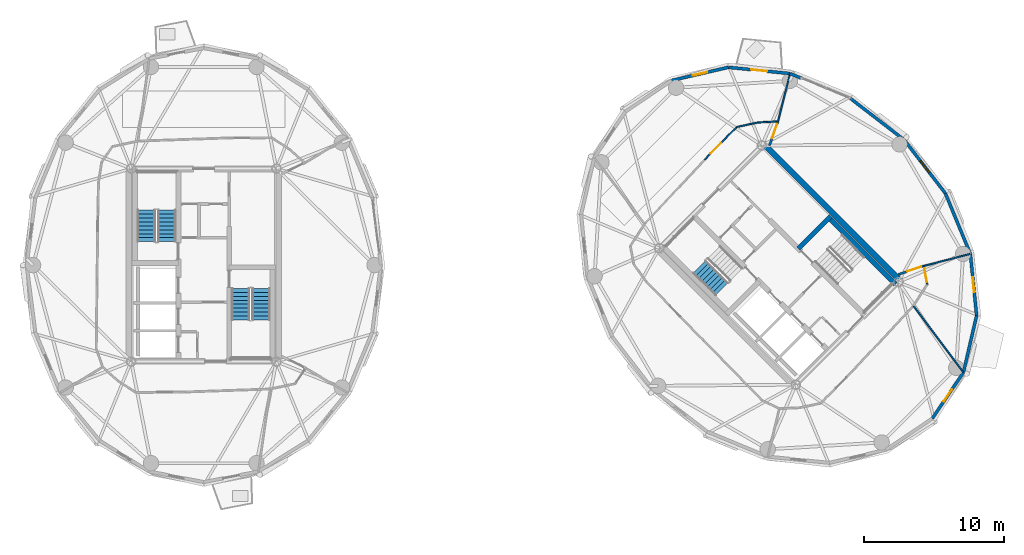
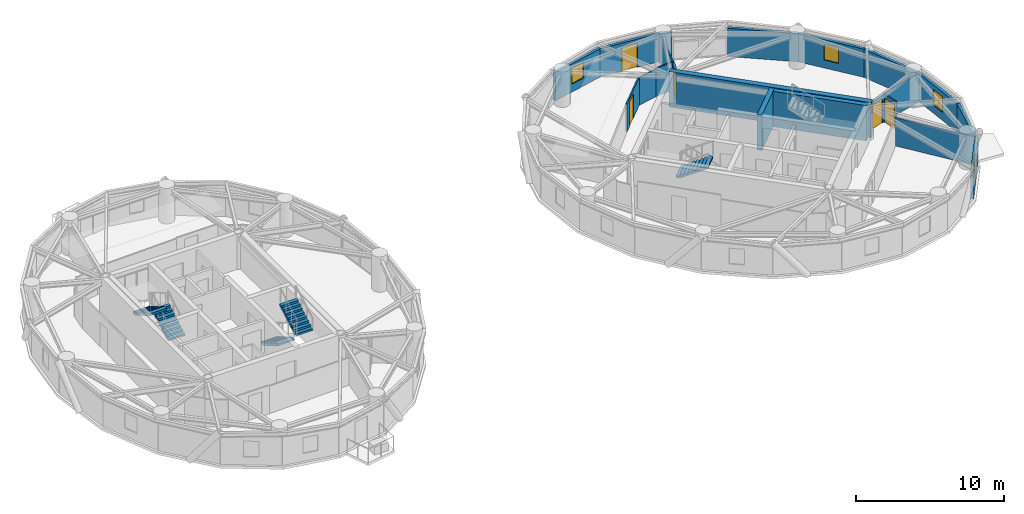
# One storey, part 11 of 15: 21 walls, 5 doors, 5 stair flights, 4 windows, 9 openings, 3 elements without a shape of their own.
"""IFC4 building model written with IfcOpenShell, lengths in metres."""

from ifc_helpers import new_model, si_unit, direction, frame, frame_2d, origin, place, context, subcontext, project, spatial, polyline, rectangle, outline, extrude, source, transform, mapped, material, layer, layer_set, type_object, element, fill, aggregate, save


model = new_model("IFC4")

# Units and contexts
model_context = context("Model", 3, precision=1e-05, world=origin(), true_north=direction((0.0, 1.0)))
body_context = subcontext(model_context, "Body", "Model", "MODEL_VIEW")
ifc_project = project(units=[si_unit("LENGTHUNIT", "METRE"), si_unit("AREAUNIT", "SQUARE_METRE"), si_unit("VOLUMEUNIT", "CUBIC_METRE"), si_unit("PLANEANGLEUNIT", "RADIAN"), si_unit("MASSUNIT", "GRAM", prefix="KILO")], contexts=[model_context])

# Site, building, storey
site_placement = place(None, origin())
site = spatial("IfcSite", under=ifc_project, at=site_placement, CompositionType="ELEMENT")
building_placement = place(site_placement, origin())
building = spatial("IfcBuilding", under=site, at=building_placement, Name="Cununo Teusaquillo Station Towers", CompositionType="ELEMENT")
storey_placement = place(building_placement, frame((0.0, 0.0, 199.570068359375)))
storey = spatial("IfcBuildingStorey", under=building, at=storey_placement, Name="L63", CompositionType="ELEMENT", Elevation=199.570068359375)

# Walls
ifc_material_1 = material(Name="Concrete C50/60", Category="concrete")
ifc_layer_1 = layer(ifc_material_1, 0.35009765625)
ifc_layer_set_1 = layer_set([ifc_layer_1], Name="Concrete C50/60")
wall_type_1 = type_object("IfcWallType", Name="WL-CORE-350", PredefinedType="SHEAR", material=ifc_layer_set_1)
wall_1_placement = place(storey_placement, frame((65.81201171875, 23.124755859375, 0.0), z_axis=(0.0, 0.0, 1.0), x_axis=(-0.707106781187, 0.707106781187, 0.0)))
element("IfcWall", 1, at=wall_1_placement, inside=storey, type_object=wall_type_1, Name="L63 Tower B Core Shear Wall ST2E", PredefinedType="SHEAR", context=body_context, shape_type="SweptSolid", body=[
    extrude(rectangle(XDim=6.695068359375, YDim=0.35009765625, at=frame_2d((3.34765625, 0.0))), origin(), (0.0, 0.0, 1.0), 2.909912109375),
])
wall_2_placement = place(storey_placement, frame((58.89306640625, 25.673828125, 0.0), z_axis=(0.0, 0.0, 1.0), x_axis=(0.707106781187, 0.707106781187, 0.0)))
element("IfcWall", 2, at=wall_2_placement, inside=storey, type_object=wall_type_1, Name="L63 Tower B Core Shear Wall ST2N", PredefinedType="SHEAR", context=body_context, shape_type="SweptSolid", body=[
    extrude(rectangle(XDim=3.284912109375, YDim=0.35009765625, at=frame_2d((1.642578125, 0.0))), origin(), (0.0, 0.0, 1.0), 2.909912109375),
])
ifc_material_2 = material(Name="Concrete C50/60", Category="concrete")
ifc_layer_2 = layer(ifc_material_2, 0.39990234375)
ifc_layer_set_2 = layer_set([ifc_layer_2], Name="Concrete C50/60")
wall_type_2 = type_object("IfcWallType", Name="WL-CORE-400", PredefinedType="SHEAR", material=ifc_layer_set_2)
wall_3_placement = place(storey_placement, frame((66.26806640625, 23.2978515625, 0.0), z_axis=(0.0, 0.0, 1.0), x_axis=(-0.707106781187, 0.707106781187, 0.0)))
element("IfcWall", 3, at=wall_3_placement, inside=storey, type_object=wall_type_2, Name="L63 Tower B Core Shear Wall E", PredefinedType="SHEAR", context=body_context, shape_type="SweptSolid", body=[
    extrude(rectangle(XDim=14.10009765625, YDim=0.39990234375, at=frame_2d((7.050048828125, 0.0))), origin(), (0.0, 0.0, 1.0), 2.909912109375),
])
ifc_material_3 = material(Name="Precast concrete C40/50", Category="concrete")
ifc_layer_3 = layer(ifc_material_3, 0.219970703125)
ifc_layer_set_3 = layer_set([ifc_layer_3], Name="Precast concrete C40/50")
wall_type_3 = type_object("IfcWallType", Name="WL-EXT-220", PredefinedType="SOLIDWALL", material=ifc_layer_set_3)
wall_4_placement = place(storey_placement, frame((62.61328125, 36.373779296875, 0.0), z_axis=(0.0, 0.0, 1.0), x_axis=(0.791998462147, -0.610523083886, 0.0)))
element("IfcWall", 4, at=wall_4_placement, inside=storey, type_object=wall_type_3, Name="L63 Tower B Exterior Facade Wall C00", PredefinedType="SOLIDWALL", context=body_context, shape_type="SweptSolid", body=[
    extrude(rectangle(XDim=4.8203125, YDim=0.219970703125, at=frame_2d((2.41015625, 0.0))), origin(), (0.0, 0.0, 1.0), 2.322021484375),
])
wall_5_placement = place(storey_placement, frame((58.29541015625, 38.15478515625, 0.0), z_axis=(0.0, 0.0, 1.0), x_axis=(0.924515260676, -0.381145028536, 0.0)))
element("IfcWall", 5, at=wall_5_placement, inside=storey, type_object=wall_type_3, Name="L63 Tower B Column Pier Cladding Wall C01-PA", PredefinedType="SOLIDWALL", context=body_context, shape_type="SweptSolid", body=[
    extrude(rectangle(XDim=0.869873046875, YDim=0.219970703125, at=frame_2d((0.43505859375, 0.0))), origin(), (0.0, 0.0, 1.0), 2.322021484375),
])

# Wall, opening, door
wall_6_placement = place(storey_placement, frame((53.899658203125, 38.59912109375, 0.0), z_axis=(0.0, 0.0, 1.0), x_axis=(0.994929930991, -0.100570534541, 0.0)))
wall_6 = element("IfcWall", 6, at=wall_6_placement, inside=storey, type_object=wall_type_3, Name="L63 Tower B Exterior Facade Wall C02", PredefinedType="SOLIDWALL", context=body_context, shape_type="SweptSolid", body=[
    extrude(rectangle(XDim=4.418212890625, YDim=0.219970703125, at=frame_2d((2.208984375, 0.0))), origin(), (0.0, 0.0, 1.0), 2.322021484375),
])
shared_shape_1 = source(origin(), body_context, "Body", "SweptSolid", [
    extrude(rectangle(XDim=1.14990234375, YDim=2.0048828125, at=frame_2d((0.574951171875, 1.00244140625))), frame((0.0, 0.119873046875, 0.0), z_axis=(0.0, -1.0, 0.0), x_axis=(1.0, 0.0, 0.0)), (0.0, 0.0, 1.0), 0.239990234375),
])
opening_1_placement = place(wall_6_placement, frame((1.634033203125, 0.0, 0.0)))
opening_1 = element("IfcOpeningElement", 7, at=opening_1_placement, cuts=wall_6, Name="Opening ED-03", PredefinedType="OPENING", context=body_context, shape_type="MappedRepresentation", body=[
    mapped(shared_shape_1, transform((0.0, 0.0, 0.0), x_axis=(1.0, 0.0, 0.0), y_axis=(0.0, 1.0, 0.0), z_axis=(0.0, 0.0, 1.0), scale=1.0)),
])
ifc_material_4 = material(Name="Anodised dark bronze aluminium EN AW-6063-T6", Category="aluminium")
door_type_1 = type_object("IfcDoorType", Name="DR-EXT-BAL", OperationType="NOTDEFINED", PredefinedType="DOOR", material=ifc_material_4)
shared_shape_2 = source(origin(), body_context, "Body", "SweptSolid", [
    extrude(rectangle(XDim=1.14990234375, YDim=2.0048828125, at=frame_2d((0.574951171875, 1.00244140625))), frame((0.0, 0.02490234375, 0.0), z_axis=(0.0, -1.0, 0.0), x_axis=(1.0, 0.0, 0.0)), (0.0, 0.0, 1.0), 0.050048828125),
])
door_1_placement = place(opening_1_placement, origin())
door_1 = element("IfcDoor", 8, at=door_1_placement, inside=storey, type_object=door_type_1, Name="L63 Tower B Tree Balcony Door C02", OperationType="SINGLE_SWING_LEFT", OverallHeight=2.0048828125, OverallWidth=1.14990234375, PredefinedType="DOOR", context=body_context, shape_type="MappedRepresentation", body=[
    mapped(shared_shape_2, transform((0.0, 0.0, 0.0), x_axis=(1.0, 0.0, 0.0), y_axis=(0.0, 1.0, 0.0), z_axis=(0.0, 0.0, 1.0), scale=1.0)),
])
fill(opening_1, door_1)

# Wall, opening, window
wall_7_placement = place(storey_placement, frame((49.856201171875, 37.663330078125, 0.0), z_axis=(0.0, 0.0, 1.0), x_axis=(0.974249228678, 0.225473813158, 0.0)))
wall_7 = element("IfcWall", 9, at=wall_7_placement, inside=storey, type_object=wall_type_3, Name="L63 Tower B Exterior Facade Wall C03", PredefinedType="SOLIDWALL", context=body_context, shape_type="SweptSolid", body=[
    extrude(rectangle(XDim=4.150390625, YDim=0.219970703125, at=frame_2d((2.0751953125, 0.0))), origin(), (0.0, 0.0, 1.0), 2.322021484375),
])
shared_shape_3 = source(origin(), body_context, "Body", "SweptSolid", [
    extrude(rectangle(XDim=1.050048828125, YDim=1.300048828125, at=frame_2d((0.52490234375, 0.64990234375))), frame((0.0, 0.119873046875, 0.0), z_axis=(0.0, -1.0, 0.0), x_axis=(1.0, 0.0, 0.0)), (0.0, 0.0, 1.0), 0.239990234375),
])
opening_2_placement = place(wall_7_placement, frame((1.550048828125, 0.0, 0.64990234375)))
opening_2 = element("IfcOpeningElement", 10, at=opening_2_placement, cuts=wall_7, Name="Opening WN-04", PredefinedType="OPENING", context=body_context, shape_type="MappedRepresentation", body=[
    mapped(shared_shape_3, transform((0.0, 0.0, 0.0), x_axis=(1.0, 0.0, 0.0), y_axis=(0.0, 1.0, 0.0), z_axis=(0.0, 0.0, 1.0), scale=1.0)),
])
ifc_material_5 = material(Name="Operable acoustic tinted low-E double glazing", Category="glass")
window_type = type_object("IfcWindowType", Name="WIN-BAL-1050", PartitioningType="SINGLE_PANEL", PredefinedType="WINDOW", material=ifc_material_5)
shared_shape_4 = source(origin(), body_context, "Body", "SweptSolid", [
    extrude(rectangle(XDim=1.050048828125, YDim=1.300048828125, at=frame_2d((0.52490234375, 0.64990234375))), frame((0.0, 0.030029296875, 0.0), z_axis=(0.0, -1.0, 0.0), x_axis=(1.0, 0.0, 0.0)), (0.0, 0.0, 1.0), 0.06005859375),
])
window_1_placement = place(opening_2_placement, origin())
window_1 = element("IfcWindow", 11, at=window_1_placement, inside=storey, type_object=window_type, Name="L63 Tower B Facade Window C03", OverallHeight=1.300048828125, OverallWidth=1.050048828125, PartitioningType="SINGLE_PANEL", PredefinedType="WINDOW", context=body_context, shape_type="MappedRepresentation", body=[
    mapped(shared_shape_4, transform((0.0, 0.0, 0.0), x_axis=(1.0, 0.0, 0.0), y_axis=(0.0, 1.0, 0.0), z_axis=(0.0, 0.0, 1.0), scale=1.0)),
])
fill(opening_2, window_1)

wall_8_placement = place(storey_placement, frame((70.663330078125, 16.856201171875, 0.0), z_axis=(0.0, 0.0, 1.0), x_axis=(-0.559495003079, -0.828833723692, 0.0)))
wall_8 = element("IfcWall", 12, at=wall_8_placement, inside=storey, type_object=wall_type_3, Name="L63 Tower B Exterior Facade Wall C15", PredefinedType="SOLIDWALL", context=body_context, shape_type="SweptSolid", body=[
    extrude(rectangle(XDim=3.9755859375, YDim=0.219970703125, at=frame_2d((1.98779296875, 0.0))), origin(), (0.0, 0.0, 1.0), 2.322021484375),
])
opening_3_placement = place(wall_8_placement, frame((1.462890625, 0.0, 0.64990234375)))
opening_3 = element("IfcOpeningElement", 13, at=opening_3_placement, cuts=wall_8, Name="Opening WN-04", PredefinedType="OPENING", context=body_context, shape_type="MappedRepresentation", body=[
    mapped(shared_shape_3, transform((0.0, 0.0, 0.0), x_axis=(1.0, 0.0, 0.0), y_axis=(0.0, 1.0, 0.0), z_axis=(0.0, 0.0, 1.0), scale=1.0)),
])
window_2_placement = place(opening_3_placement, origin())
window_2 = element("IfcWindow", 14, at=window_2_placement, inside=storey, type_object=window_type, Name="L63 Tower B Facade Window C15", OverallHeight=1.300048828125, OverallWidth=1.050048828125, PartitioningType="SINGLE_PANEL", PredefinedType="WINDOW", context=body_context, shape_type="MappedRepresentation", body=[
    mapped(shared_shape_4, transform((0.0, 0.0, 0.0), x_axis=(1.0, 0.0, 0.0), y_axis=(0.0, 1.0, 0.0), z_axis=(0.0, 0.0, 1.0), scale=1.0)),
])
fill(opening_3, window_2)

# Wall
wall_9_placement = place(storey_placement, frame((71.59912109375, 20.899658203125, 0.0), z_axis=(0.0, 0.0, 1.0), x_axis=(-0.225473813158, -0.974249228678, 0.0)))
element("IfcWall", 15, at=wall_9_placement, inside=storey, type_object=wall_type_3, Name="L63 Tower B Exterior Facade Wall C16", PredefinedType="SOLIDWALL", context=body_context, shape_type="SweptSolid", body=[
    extrude(rectangle(XDim=4.150390625, YDim=0.219970703125, at=frame_2d((2.0751953125, 0.0))), origin(), (0.0, 0.0, 1.0), 2.322021484375),
])

# Wall, opening, window
wall_10_placement = place(storey_placement, frame((71.15478515625, 25.29541015625, 0.0), z_axis=(0.0, 0.0, 1.0), x_axis=(0.100570534541, -0.994929930991, 0.0)))
wall_10 = element("IfcWall", 16, at=wall_10_placement, inside=storey, type_object=wall_type_3, Name="L63 Tower B Exterior Facade Wall C17", PredefinedType="SOLIDWALL", context=body_context, shape_type="SweptSolid", body=[
    extrude(rectangle(XDim=4.418212890625, YDim=0.219970703125, at=frame_2d((2.208984375, 0.0))), origin(), (0.0, 0.0, 1.0), 2.322021484375),
])
opening_4_placement = place(wall_10_placement, frame((1.68408203125, 0.0, 0.64990234375)))
opening_4 = element("IfcOpeningElement", 17, at=opening_4_placement, cuts=wall_10, Name="Opening WN-04", PredefinedType="OPENING", context=body_context, shape_type="MappedRepresentation", body=[
    mapped(shared_shape_3, transform((0.0, 0.0, 0.0), x_axis=(1.0, 0.0, 0.0), y_axis=(0.0, 1.0, 0.0), z_axis=(0.0, 0.0, 1.0), scale=1.0)),
])
window_3_placement = place(opening_4_placement, origin())
window_3 = element("IfcWindow", 18, at=window_3_placement, inside=storey, type_object=window_type, Name="L63 Tower B Facade Window C17", OverallHeight=1.300048828125, OverallWidth=1.050048828125, PartitioningType="SINGLE_PANEL", PredefinedType="WINDOW", context=body_context, shape_type="MappedRepresentation", body=[
    mapped(shared_shape_4, transform((0.0, 0.0, 0.0), x_axis=(1.0, 0.0, 0.0), y_axis=(0.0, 1.0, 0.0), z_axis=(0.0, 0.0, 1.0), scale=1.0)),
])
fill(opening_4, window_3)

# Wall
wall_11_placement = place(storey_placement, frame((69.373779296875, 29.61328125, 0.0), z_axis=(0.0, 0.0, 1.0), x_axis=(0.381309704956, -0.924447353237, 0.0)))
element("IfcWall", 19, at=wall_11_placement, inside=storey, type_object=wall_type_3, Name="L63 Tower B Exterior Facade Wall C18", PredefinedType="SOLIDWALL", context=body_context, shape_type="SweptSolid", body=[
    extrude(rectangle(XDim=4.670654296875, YDim=0.219970703125, at=frame_2d((2.33544921875, 0.0))), origin(), (0.0, 0.0, 1.0), 2.322021484375),
])

# Wall, opening, window
wall_12_placement = place(storey_placement, frame((66.430908203125, 33.430908203125, 0.0), z_axis=(0.0, 0.0, 1.0), x_axis=(0.610523083886, -0.791998462147, 0.0)))
wall_12 = element("IfcWall", 20, at=wall_12_placement, inside=storey, type_object=wall_type_3, Name="L63 Tower B Exterior Facade Wall C19", PredefinedType="SOLIDWALL", context=body_context, shape_type="SweptSolid", body=[
    extrude(rectangle(XDim=4.8203125, YDim=0.219970703125, at=frame_2d((2.41015625, 0.0))), origin(), (0.0, 0.0, 1.0), 2.322021484375),
])
opening_5_placement = place(wall_12_placement, frame((1.885009765625, 0.0, 0.64990234375)))
opening_5 = element("IfcOpeningElement", 21, at=opening_5_placement, cuts=wall_12, Name="Opening WN-04", PredefinedType="OPENING", context=body_context, shape_type="MappedRepresentation", body=[
    mapped(shared_shape_3, transform((0.0, 0.0, 0.0), x_axis=(1.0, 0.0, 0.0), y_axis=(0.0, 1.0, 0.0), z_axis=(0.0, 0.0, 1.0), scale=1.0)),
])
window_4_placement = place(opening_5_placement, origin())
window_4 = element("IfcWindow", 22, at=window_4_placement, inside=storey, type_object=window_type, Name="L63 Tower B Facade Window C19", OverallHeight=1.300048828125, OverallWidth=1.050048828125, PartitioningType="SINGLE_PANEL", PredefinedType="WINDOW", context=body_context, shape_type="MappedRepresentation", body=[
    mapped(shared_shape_4, transform((0.0, 0.0, 0.0), x_axis=(1.0, 0.0, 0.0), y_axis=(0.0, 1.0, 0.0), z_axis=(0.0, 0.0, 1.0), scale=1.0)),
])
fill(opening_5, window_4)

# Walls
ifc_material_6 = material(Name="Fire-rated gypsum plasterboard partition assembly", Category="gypsum")
ifc_layer_4 = layer(ifc_material_6, 0.10009765625)
ifc_layer_set_4 = layer_set([ifc_layer_4], Name="Fire-rated gypsum plasterboard partition assembly")
wall_type_4 = type_object("IfcWallType", Name="WL-PART-100", PredefinedType="MOVABLE", material=ifc_layer_set_4)
wall_13_placement = place(storey_placement, frame((57.4404296875, 34.743896484375, 0.0), z_axis=(0.0, 0.0, 1.0), x_axis=(-0.998578025565, -0.053309725738, 0.0)))
element("IfcWall", 23, at=wall_13_placement, inside=storey, type_object=wall_type_4, Name="L63 Tower B Corridor Ring Wall C02", PredefinedType="MOVABLE", context=body_context, shape_type="SweptSolid", body=[
    extrude(rectangle(XDim=1.433349609375, YDim=0.10009765625, at=frame_2d((0.716796875, 0.0))), origin(), (0.0, 0.0, 1.0), 2.322021484375),
])
wall_14_placement = place(storey_placement, frame((56.009033203125, 34.66748046875, 0.0), z_axis=(0.0, 0.0, 1.0), x_axis=(-0.977625498152, -0.210353001795, 0.0)))
element("IfcWall", 24, at=wall_14_placement, inside=storey, type_object=wall_type_4, Name="L63 Tower B Corridor Ring Wall C03", PredefinedType="MOVABLE", context=body_context, shape_type="SweptSolid", body=[
    extrude(rectangle(XDim=1.537841796875, YDim=0.10009765625, at=frame_2d((0.76904296875, 0.0))), origin(), (0.0, 0.0, 1.0), 2.2548828125),
])

# Wall, opening, door
wall_15_placement = place(storey_placement, frame((54.505615234375, 34.343994140625, 0.0), z_axis=(0.0, 0.0, 1.0), x_axis=(-0.703053402247, -0.711137056824, 0.0)))
wall_15 = element("IfcWall", 25, at=wall_15_placement, inside=storey, type_object=wall_type_4, Name="L63 Tower B Corridor Ring Wall C04", PredefinedType="MOVABLE", context=body_context, shape_type="SweptSolid", body=[
    extrude(rectangle(XDim=3.26171875, YDim=0.10009765625, at=frame_2d((1.630859375, 0.0))), origin(), (0.0, 0.0, 1.0), 2.322021484375),
])
shared_shape_5 = source(origin(), body_context, "Body", "SweptSolid", [
    extrude(rectangle(XDim=1.050048828125, YDim=2.014892578125, at=frame_2d((0.52490234375, 1.00732421875))), frame((0.0, 0.06005859375, 0.0), z_axis=(0.0, -1.0, 0.0), x_axis=(1.0, 0.0, 0.0)), (0.0, 0.0, 1.0), 0.1201171875),
])
opening_6_placement = place(wall_15_placement, frame((1.598876953125, 0.0, 0.0)))
opening_6 = element("IfcOpeningElement", 26, at=opening_6_placement, cuts=wall_15, Name="Opening D-SU1", PredefinedType="OPENING", context=body_context, shape_type="MappedRepresentation", body=[
    mapped(shared_shape_5, transform((0.0, 0.0, 0.0), x_axis=(1.0, 0.0, 0.0), y_axis=(0.0, 1.0, 0.0), z_axis=(0.0, 0.0, 1.0), scale=1.0)),
])
ifc_material_7 = material(Name="Acoustic solid-core hardwood leaf assembly", Category="wood")
door_type_2 = type_object("IfcDoorType", Name="DR-SUITE-1050", OperationType="NOTDEFINED", PredefinedType="DOOR", material=ifc_material_7)
shared_shape_6 = source(origin(), body_context, "Body", "SweptSolid", [
    extrude(rectangle(XDim=1.050048828125, YDim=2.014892578125, at=frame_2d((0.52490234375, 1.00732421875))), frame((0.0, 0.02490234375, 0.0), z_axis=(0.0, -1.0, 0.0), x_axis=(1.0, 0.0, 0.0)), (0.0, 0.0, 1.0), 0.050048828125),
])
door_2_placement = place(opening_6_placement, origin())
door_2 = element("IfcDoor", 27, at=door_2_placement, inside=storey, type_object=door_type_2, Name="L63 Tower B Family Office Investment Landscape Hall Entrance Door", OperationType="SINGLE_SWING_RIGHT", OverallHeight=2.014892578125, OverallWidth=1.050048828125, PredefinedType="DOOR", context=body_context, shape_type="MappedRepresentation", body=[
    mapped(shared_shape_6, transform((0.0, 0.0, 0.0), x_axis=(1.0, 0.0, 0.0), y_axis=(0.0, 1.0, 0.0), z_axis=(0.0, 0.0, 1.0), scale=1.0)),
])
fill(opening_6, door_2)

wall_16_placement = place(storey_placement, frame((68.08642578125, 23.12939453125, 0.0), z_axis=(0.0, 0.0, 1.0), x_axis=(-0.182004193146, 0.983297754334, 0.0)))
wall_16 = element("IfcWall", 28, at=wall_16_placement, inside=storey, type_object=wall_type_4, Name="L63 Tower B Corridor Ring Wall C17", PredefinedType="MOVABLE", context=body_context, shape_type="SweptSolid", body=[
    extrude(rectangle(XDim=1.3359375, YDim=0.10009765625, at=frame_2d((0.66796875, 0.0))), origin(), (0.0, 0.0, 1.0), 2.322021484375),
])
shared_shape_7 = source(origin(), body_context, "Body", "SweptSolid", [
    extrude(rectangle(XDim=1.0, YDim=2.014892578125, at=frame_2d((0.5, 1.00732421875))), frame((0.0, 0.06005859375, 0.0), z_axis=(0.0, -1.0, 0.0), x_axis=(1.0, 0.0, 0.0)), (0.0, 0.0, 1.0), 0.1201171875),
])
opening_7_placement = place(wall_16_placement, frame((0.16796875, 0.0, 0.0)))
opening_7 = element("IfcOpeningElement", 29, at=opening_7_placement, cuts=wall_16, Name="Opening D-AC1", PredefinedType="OPENING", context=body_context, shape_type="MappedRepresentation", body=[
    mapped(shared_shape_7, transform((0.0, 0.0, 0.0), x_axis=(1.0, 0.0, 0.0), y_axis=(0.0, 1.0, 0.0), z_axis=(0.0, 0.0, 1.0), scale=1.0)),
])
ifc_material_8 = material(Name="Acoustic solid-core hardwood leaf assembly", Category="wood")
door_type_3 = type_object("IfcDoorType", Name="DR-ACC-1000", OperationType="NOTDEFINED", PredefinedType="DOOR", material=ifc_material_8)
shared_shape_8 = source(origin(), body_context, "Body", "SweptSolid", [
    extrude(rectangle(XDim=1.0, YDim=2.014892578125, at=frame_2d((0.5, 1.00732421875))), frame((0.0, 0.02490234375, 0.0), z_axis=(0.0, -1.0, 0.0), x_axis=(1.0, 0.0, 0.0)), (0.0, 0.0, 1.0), 0.050048828125),
])
door_3_placement = place(opening_7_placement, origin())
door_3 = element("IfcDoor", 30, at=door_3_placement, inside=storey, type_object=door_type_3, Name="L63 Tower B Public Accessible Restroom WC Entrance Door", OperationType="SINGLE_SWING_LEFT", OverallHeight=2.014892578125, OverallWidth=1.0, PredefinedType="DOOR", context=body_context, shape_type="MappedRepresentation", body=[
    mapped(shared_shape_8, transform((0.0, 0.0, 0.0), x_axis=(1.0, 0.0, 0.0), y_axis=(0.0, 1.0, 0.0), z_axis=(0.0, 0.0, 1.0), scale=1.0)),
])
fill(opening_7, door_3)

# Walls
wall_17_placement = place(storey_placement, frame((57.4404296875, 34.743896484375, 0.0), z_axis=(0.0, 0.0, 1.0), x_axis=(0.243619816457, 0.969870808422, 0.0)))
element("IfcWall", 31, at=wall_17_placement, inside=storey, type_object=wall_type_4, Name="L63 Tower B Radial Suite Partition R01", PredefinedType="MOVABLE", context=body_context, shape_type="SweptSolid", body=[
    extrude(rectangle(XDim=3.496337890625, YDim=0.10009765625, at=frame_2d((1.748046875, 0.0))), origin(), (0.0, 0.0, 1.0), 2.322021484375),
])
wall_18_placement = place(storey_placement, frame((67.09521484375, 21.599609375, 0.0), z_axis=(0.0, 0.0, 1.0), x_axis=(0.599947190798, -0.800039604178, 0.0)))
element("IfcWall", 32, at=wall_18_placement, inside=storey, type_object=wall_type_4, Name="L63 Tower B Radial Suite Partition R04", PredefinedType="MOVABLE", context=body_context, shape_type="SweptSolid", body=[
    extrude(rectangle(XDim=5.917724609375, YDim=0.10009765625, at=frame_2d((2.958984375, 0.0))), origin(), (0.0, 0.0, 1.0), 2.322021484375),
])
wall_19_placement = place(storey_placement, frame((67.84326171875, 24.443115234375, 0.0), z_axis=(0.0, 0.0, 1.0), x_axis=(0.968303102463, 0.249778105048, 0.0)))
element("IfcWall", 33, at=wall_19_placement, inside=storey, type_object=wall_type_4, Name="L63 Tower B Radial Suite Partition R05", PredefinedType="MOVABLE", context=body_context, shape_type="SweptSolid", body=[
    extrude(rectangle(XDim=3.3994140625, YDim=0.10009765625, at=frame_2d((1.69970703125, 0.0))), origin(), (0.0, 0.0, 1.0), 2.322021484375),
])

# Wall, opening, door
ifc_material_9 = material(Name="Fire-rated gypsum plasterboard partition assembly", Category="gypsum")
ifc_layer_5 = layer(ifc_material_9, 0.159912109375)
ifc_layer_set_5 = layer_set([ifc_layer_5], Name="Fire-rated gypsum plasterboard partition assembly")
wall_type_5 = type_object("IfcWallType", Name="WL-PART-160", PredefinedType="PARTITIONING", material=ifc_layer_set_5)
wall_20_placement = place(storey_placement, frame((56.828125, 33.0205078125, 0.0), z_axis=(0.0, 0.0, 1.0), x_axis=(0.334788446034, 0.942293317605, 0.0)))
wall_20 = element("IfcWall", 34, at=wall_20_placement, inside=storey, type_object=wall_type_5, Name="L63 Tower B East Salon Corridor Portal Wall NE", PredefinedType="PARTITIONING", context=body_context, shape_type="SweptSolid", body=[
    extrude(rectangle(XDim=1.828857421875, YDim=0.159912109375, at=frame_2d((0.91455078125, 0.0))), origin(), (0.0, 0.0, 1.0), 2.2548828125),
])
shared_shape_9 = source(origin(), body_context, "Body", "SweptSolid", [
    extrude(rectangle(XDim=1.050048828125, YDim=2.014892578125, at=frame_2d((0.52490234375, 1.00732421875))), frame((0.0, 0.08984375, 0.0), z_axis=(0.0, -1.0, 0.0), x_axis=(1.0, 0.0, 0.0)), (0.0, 0.0, 1.0), 0.179931640625),
])
opening_8_placement = place(wall_20_placement, frame((0.578857421875, 0.0, 0.0)))
opening_8 = element("IfcOpeningElement", 35, at=opening_8_placement, cuts=wall_20, Name="Opening D-SU1", PredefinedType="OPENING", context=body_context, shape_type="MappedRepresentation", body=[
    mapped(shared_shape_9, transform((0.0, 0.0, 0.0), x_axis=(1.0, 0.0, 0.0), y_axis=(0.0, 1.0, 0.0), z_axis=(0.0, 0.0, 1.0), scale=1.0)),
])
door_4_placement = place(opening_8_placement, origin())
door_4 = element("IfcDoor", 36, at=door_4_placement, inside=storey, type_object=door_type_2, Name="L63 Tower B East Panorama Sky Salon Door NE", OperationType="SINGLE_SWING_RIGHT", OverallHeight=2.014892578125, OverallWidth=1.050048828125, PredefinedType="DOOR", context=body_context, shape_type="MappedRepresentation", body=[
    mapped(shared_shape_6, transform((0.0, 0.0, 0.0), x_axis=(1.0, 0.0, 0.0), y_axis=(0.0, 1.0, 0.0), z_axis=(0.0, 0.0, 1.0), scale=1.0)),
])
fill(opening_8, door_4)

wall_21_placement = place(storey_placement, frame((66.0205078125, 23.828125, 0.0), z_axis=(0.0, 0.0, 1.0), x_axis=(0.947522075691, 0.319690344049, 0.0)))
wall_21 = element("IfcWall", 37, at=wall_21_placement, inside=storey, type_object=wall_type_5, Name="L63 Tower B East Salon Corridor Portal Wall SE", PredefinedType="PARTITIONING", context=body_context, shape_type="SweptSolid", body=[
    extrude(rectangle(XDim=1.923583984375, YDim=0.159912109375, at=frame_2d((0.9619140625, 0.0))), origin(), (0.0, 0.0, 1.0), 2.2548828125),
])
opening_9_placement = place(wall_21_placement, frame((0.673583984375, 0.0, 0.0)))
opening_9 = element("IfcOpeningElement", 38, at=opening_9_placement, cuts=wall_21, Name="Opening D-SU1", PredefinedType="OPENING", context=body_context, shape_type="MappedRepresentation", body=[
    mapped(shared_shape_9, transform((0.0, 0.0, 0.0), x_axis=(1.0, 0.0, 0.0), y_axis=(0.0, 1.0, 0.0), z_axis=(0.0, 0.0, 1.0), scale=1.0)),
])
door_5_placement = place(opening_9_placement, origin())
door_5 = element("IfcDoor", 39, at=door_5_placement, inside=storey, type_object=door_type_2, Name="L63 Tower B East Panorama Sky Salon Door SE", OperationType="SINGLE_SWING_LEFT", OverallHeight=2.014892578125, OverallWidth=1.050048828125, PredefinedType="DOOR", context=body_context, shape_type="MappedRepresentation", body=[
    mapped(shared_shape_6, transform((0.0, 0.0, 0.0), x_axis=(1.0, 0.0, 0.0), y_axis=(0.0, 1.0, 0.0), z_axis=(0.0, 0.0, 1.0), scale=1.0)),
])
fill(opening_9, door_5)

# Stair, stair flights
ifc_material_10 = material(Name="Concrete C50/60", Category="concrete")
stair_type = type_object("IfcStairType", Name="ST-TWR-1300", PredefinedType="HALF_TURN_STAIR", material=ifc_material_10)
stair_1_placement = place(storey_placement, origin())
stair_1 = element("IfcStair", 40, at=stair_1_placement, inside=storey, type_object=stair_type, Name="L63 Tower A Protected Core Exit Stair 1", PredefinedType="HALF_TURN_STAIR")
ifc_material_11 = material(Name="Concrete C50/60", Category="concrete")
stair_flight_type = type_object("IfcStairFlightType", Name="SFL-TWR-1300", PredefinedType="STRAIGHT", material=ifc_material_11)
stair_flight_1_placement = place(storey_placement, frame((13.8701171875, 26.169921875, 0.0), z_axis=(0.0, 0.0, 1.0), x_axis=(0.0, 1.0, 0.0)))
stair_flight_1 = element("IfcStairFlight", 41, at=stair_flight_1_placement, type_object=stair_flight_type, Name="ST-T1-1 flight 1", NumberOfRisers=9, NumberOfTreads=8, PredefinedType="STRAIGHT", RiserHeight=0.161666667, TreadLength=0.28, context=body_context, shape_type="SweptSolid", body=[
    extrude(outline(polyline([(0.0, 0.0), (0.0, 0.16162109375), (0.280029296875, 0.16162109375), (0.280029296875, 0.3232421875), (0.56005859375, 0.3232421875), (0.56005859375, 0.485107421875), (0.840087890625, 0.485107421875), (0.840087890625, 0.646728515625), (1.1201171875, 0.646728515625), (1.1201171875, 0.808349609375), (1.39990234375, 0.808349609375), (1.39990234375, 0.969970703125), (1.679931640625, 0.969970703125), (1.679931640625, 1.131591796875), (1.9599609375, 1.131591796875), (1.9599609375, 1.293212890625), (2.239990234375, 1.293212890625), (2.239990234375, 1.455078125), (2.239990234375, 1.1201171875), (0.2998046875, 0.0), (0.0, 0.0)])), frame((0.0, 0.64990234375, 0.0), z_axis=(0.0, -1.0, 0.0), x_axis=(1.0, 0.0, 0.0)), (0.0, 0.0, 1.0), 1.300048828125),
])
stair_flight_2_placement = place(storey_placement, frame((12.409912109375, 28.409912109375, 1.454833984375), z_axis=(0.0, 0.0, 1.0), x_axis=(0.0, -1.0, 0.0)))
stair_flight_2 = element("IfcStairFlight", 42, at=stair_flight_2_placement, type_object=stair_flight_type, Name="ST-T1-1 flight 2", NumberOfRisers=9, NumberOfTreads=8, PredefinedType="STRAIGHT", RiserHeight=0.161666667, TreadLength=0.28, context=body_context, shape_type="SweptSolid", body=[
    extrude(outline(polyline([(0.0, 0.0), (0.0, 0.16162109375), (0.280029296875, 0.16162109375), (0.280029296875, 0.3232421875), (0.56005859375, 0.3232421875), (0.56005859375, 0.485107421875), (0.840087890625, 0.485107421875), (0.840087890625, 0.646728515625), (1.1201171875, 0.646728515625), (1.1201171875, 0.808349609375), (1.39990234375, 0.808349609375), (1.39990234375, 0.969970703125), (1.679931640625, 0.969970703125), (1.679931640625, 1.131591796875), (1.9599609375, 1.131591796875), (1.9599609375, 1.293212890625), (2.239990234375, 1.293212890625), (2.239990234375, 1.455078125), (2.239990234375, 1.1201171875), (0.2998046875, 0.0), (0.0, 0.0)])), frame((0.0, 0.64990234375, 0.0), z_axis=(0.0, -1.0, 0.0), x_axis=(1.0, 0.0, 0.0)), (0.0, 0.0, 1.0), 1.300048828125),
])
aggregate(stair_1, [stair_flight_1, stair_flight_2])

stair_2_placement = place(storey_placement, origin())
stair_2 = element("IfcStair", 43, at=stair_2_placement, inside=storey, type_object=stair_type, Name="L63 Tower A Protected Core Exit Stair 2", PredefinedType="HALF_TURN_STAIR")
stair_flight_3_placement = place(storey_placement, frame((19.1298828125, 22.830078125, 0.0), z_axis=(0.0, 0.0, 1.0), x_axis=(0.0, -1.0, 0.0)))
stair_flight_3 = element("IfcStairFlight", 44, at=stair_flight_3_placement, type_object=stair_flight_type, Name="ST-T1-2 flight 1", NumberOfRisers=9, NumberOfTreads=8, PredefinedType="STRAIGHT", RiserHeight=0.161666667, TreadLength=0.28, context=body_context, shape_type="SweptSolid", body=[
    extrude(outline(polyline([(0.0, 0.0), (0.0, 0.16162109375), (0.280029296875, 0.16162109375), (0.280029296875, 0.3232421875), (0.56005859375, 0.3232421875), (0.56005859375, 0.485107421875), (0.840087890625, 0.485107421875), (0.840087890625, 0.646728515625), (1.1201171875, 0.646728515625), (1.1201171875, 0.808349609375), (1.39990234375, 0.808349609375), (1.39990234375, 0.969970703125), (1.679931640625, 0.969970703125), (1.679931640625, 1.131591796875), (1.9599609375, 1.131591796875), (1.9599609375, 1.293212890625), (2.239990234375, 1.293212890625), (2.239990234375, 1.455078125), (2.239990234375, 1.1201171875), (0.2998046875, 0.0), (0.0, 0.0)])), frame((0.0, 0.64990234375, 0.0), z_axis=(0.0, -1.0, 0.0), x_axis=(1.0, 0.0, 0.0)), (0.0, 0.0, 1.0), 1.300048828125),
])
stair_flight_4_placement = place(storey_placement, frame((20.590087890625, 20.590087890625, 1.454833984375), z_axis=(0.0, 0.0, 1.0), x_axis=(0.0, 1.0, 0.0)))
stair_flight_4 = element("IfcStairFlight", 45, at=stair_flight_4_placement, type_object=stair_flight_type, Name="ST-T1-2 flight 2", NumberOfRisers=9, NumberOfTreads=8, PredefinedType="STRAIGHT", RiserHeight=0.161666667, TreadLength=0.28, context=body_context, shape_type="SweptSolid", body=[
    extrude(outline(polyline([(0.0, 0.0), (0.0, 0.16162109375), (0.280029296875, 0.16162109375), (0.280029296875, 0.3232421875), (0.56005859375, 0.3232421875), (0.56005859375, 0.485107421875), (0.840087890625, 0.485107421875), (0.840087890625, 0.646728515625), (1.1201171875, 0.646728515625), (1.1201171875, 0.808349609375), (1.39990234375, 0.808349609375), (1.39990234375, 0.969970703125), (1.679931640625, 0.969970703125), (1.679931640625, 1.131591796875), (1.9599609375, 1.131591796875), (1.9599609375, 1.293212890625), (2.239990234375, 1.293212890625), (2.239990234375, 1.455078125), (2.239990234375, 1.1201171875), (0.2998046875, 0.0), (0.0, 0.0)])), frame((0.0, 0.64990234375, 0.0), z_axis=(0.0, -1.0, 0.0), x_axis=(1.0, 0.0, 0.0)), (0.0, 0.0, 1.0), 1.300048828125),
])
aggregate(stair_2, [stair_flight_3, stair_flight_4])

# Stair, stair flight
stair_3_placement = place(storey_placement, origin())
stair_3 = element("IfcStair", 46, at=stair_3_placement, inside=storey, type_object=stair_type, Name="L63 Tower B Protected Core Exit Stair 1", PredefinedType="HALF_TURN_STAIR")
stair_flight_5_placement = place(storey_placement, frame((51.84326171875, 24.372802734375, 1.454833984375), z_axis=(0.0, 0.0, 1.0), x_axis=(0.707106781187, -0.707106781187, 0.0)))
stair_flight_5 = element("IfcStairFlight", 47, at=stair_flight_5_placement, type_object=stair_flight_type, Name="ST-T2-1 flight 2", NumberOfRisers=9, NumberOfTreads=8, PredefinedType="STRAIGHT", RiserHeight=0.161666667, TreadLength=0.28, context=body_context, shape_type="SweptSolid", body=[
    extrude(outline(polyline([(0.0, 0.0), (0.0, 0.16162109375), (0.280029296875, 0.16162109375), (0.280029296875, 0.3232421875), (0.56005859375, 0.3232421875), (0.56005859375, 0.485107421875), (0.840087890625, 0.485107421875), (0.840087890625, 0.646728515625), (1.1201171875, 0.646728515625), (1.1201171875, 0.808349609375), (1.39990234375, 0.808349609375), (1.39990234375, 0.969970703125), (1.679931640625, 0.969970703125), (1.679931640625, 1.131591796875), (1.9599609375, 1.131591796875), (1.9599609375, 1.293212890625), (2.239990234375, 1.293212890625), (2.239990234375, 1.455078125), (2.239990234375, 1.1201171875), (0.2998046875, 0.0), (0.0, 0.0)])), frame((0.0, 0.64990234375, 0.0), z_axis=(0.0, -1.0, 0.0), x_axis=(1.0, 0.0, 0.0)), (0.0, 0.0, 1.0), 1.300048828125),
])
aggregate(stair_3, [stair_flight_5])

save(model, "model.ifc")
